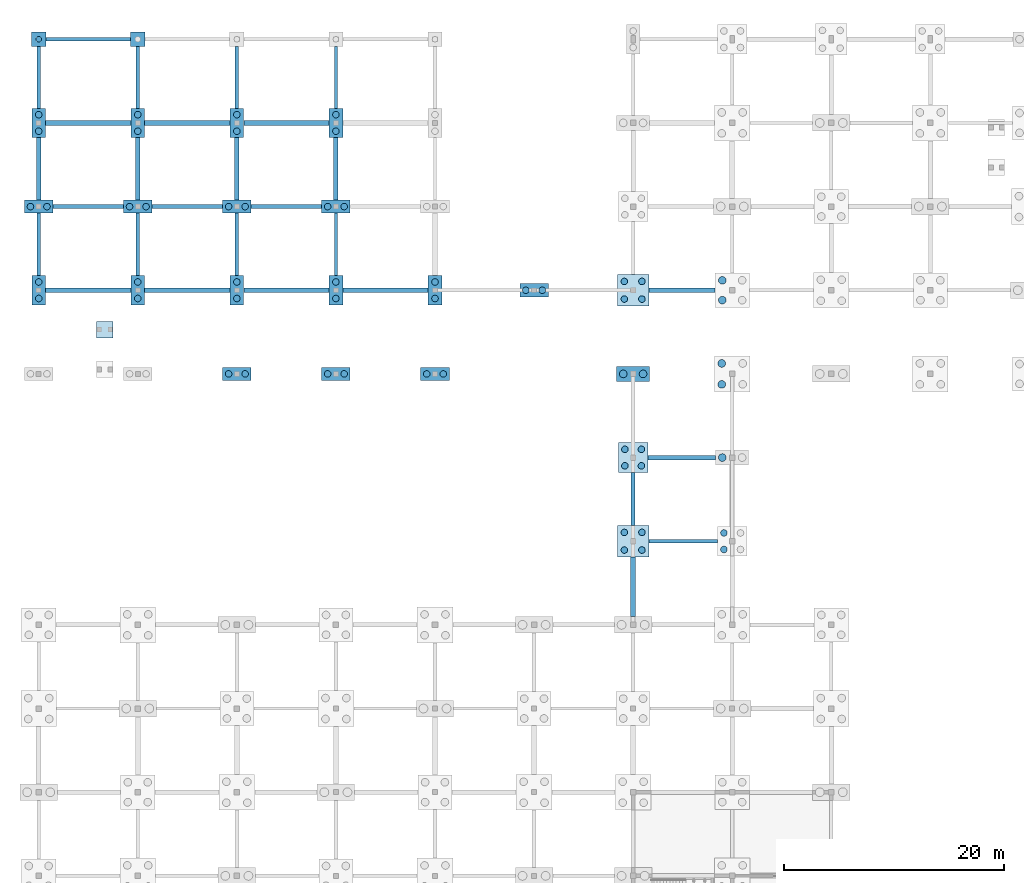
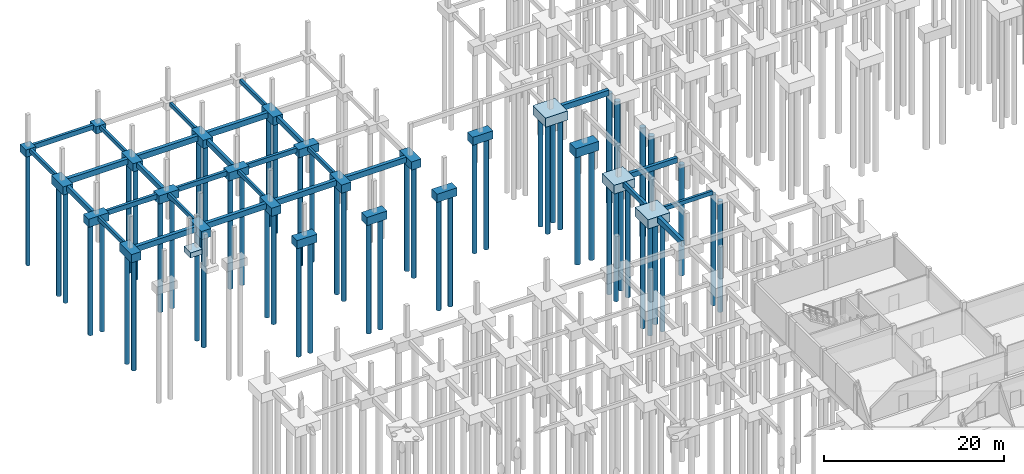
# One storey, part 6 of 28: 56 piles, 52 footings.
"""IFC4 building model written with IfcOpenShell, lengths in metres."""

from ifc_helpers import new_model, si_unit, direction, frame, origin, origin_2d, place, context, subcontext, project, spatial, rectangle, circle, extrude, material, layer, layer_set, material_profile, profile_set, type_object, element, save


model = new_model("IFC4")

# Units and contexts
model_context = context("Model", 3, precision=1e-05, world=origin(), true_north=direction((0.0, 1.0)))
body_context = subcontext(model_context, "Body", "Model", "MODEL_VIEW")
ifc_project = project(units=[si_unit("LENGTHUNIT", "METRE"), si_unit("AREAUNIT", "SQUARE_METRE"), si_unit("VOLUMEUNIT", "CUBIC_METRE"), si_unit("PLANEANGLEUNIT", "RADIAN"), si_unit("MASSUNIT", "GRAM", prefix="KILO")], contexts=[model_context])

# Site, building, storey
site_placement = place(None, origin())
site = spatial("IfcSite", under=ifc_project, at=site_placement, CompositionType="ELEMENT")
building_placement = place(site_placement, origin())
building = spatial("IfcBuilding", under=site, at=building_placement, Name="Caisbarro Railhouse Central Library", CompositionType="ELEMENT")
storey_placement = place(building_placement, frame((0.0, 0.0, -4.320068359375)))
storey = spatial("IfcBuildingStorey", under=building, at=storey_placement, Name="B01", CompositionType="ELEMENT", Elevation=-4.320068359375)

# Footings
ifc_material_1 = material(Name="Concrete C35", Category="concrete")
footing_type_1 = type_object("IfcFootingType", Name="FTG-FB01", PredefinedType="FOOTING_BEAM", material=ifc_material_1)
footing_1_placement = place(storey_placement, frame((4.5, 98.800048828125, -0.64990234375), z_axis=(0.0, 0.0, 1.0), x_axis=(1.0, 0.0, 0.0)))
element("IfcFooting", 1, at=footing_1_placement, inside=storey, type_object=footing_type_1, Name="FB01 ground tie beam 20", PredefinedType="FOOTING_BEAM", context=body_context, shape_type="SweptSolid", body=[
    extrude(rectangle(XDim=6.39599609375, YDim=0.35009765625, at=origin_2d()), origin(), (0.0, 0.0, 1.0), 0.64990234375),
])
footing_2_placement = place(storey_placement, frame((4.5, 114.0, -0.64990234375), z_axis=(0.0, 0.0, 1.0), x_axis=(1.0, 0.0, 0.0)))
element("IfcFooting", 2, at=footing_2_placement, inside=storey, type_object=footing_type_1, Name="FB01 ground tie beam 24", PredefinedType="FOOTING_BEAM", context=body_context, shape_type="SweptSolid", body=[
    extrude(rectangle(XDim=7.696044921875, YDim=0.35009765625, at=origin_2d()), origin(), (0.0, 0.0, 1.0), 0.64990234375),
])
for number, where, z_axis, x_axis, name in (
    (3, (13.5, 98.800048828125, -0.64990234375), (0.0, 0.0, 1.0), (1.0, 0.0, 0.0), "FB01 ground tie beam 44"),
    (4, (22.5, 98.800048828125, -0.64990234375), (0.0, 0.0, 1.0), (1.0, 0.0, 0.0), "FB01 ground tie beam 68"),
):
    element("IfcFooting", number, at=place(storey_placement, frame(where, z_axis=z_axis, x_axis=x_axis)), inside=storey, type_object=footing_type_1, Name=name, PredefinedType="FOOTING_BEAM", context=body_context, shape_type="SweptSolid", body=[
        extrude(rectangle(XDim=6.39599609375, YDim=0.35009765625, at=origin_2d()), origin(), (0.0, 0.0, 1.0), 0.64990234375),
    ])
footing_3_placement = place(storey_placement, frame((54.0, 72.237548828125, -0.64990234375), z_axis=(0.0, 0.0, 1.0), x_axis=(0.0, 1.0, 0.0)))
element("IfcFooting", 5, at=footing_3_placement, inside=storey, type_object=footing_type_1, Name="FB01 ground tie beam 140", PredefinedType="FOOTING_BEAM", context=body_context, shape_type="SweptSolid", body=[
    extrude(rectangle(XDim=4.821044921875, YDim=0.35009765625, at=origin_2d()), origin(), (0.0, 0.0, 1.0), 0.64990234375),
])
footing_type_2 = type_object("IfcFootingType", Name="FTG-FB02", PredefinedType="FOOTING_BEAM", material=ifc_material_1)
for number, where, z_axis, x_axis, name in (
    (6, (0.0, 102.237548828125, -0.69970703125), (0.0, 0.0, 1.0), (0.0, 1.0, 0.0), "FB02 ground tie beam 21"),
    (7, (9.0, 102.237548828125, -0.69970703125), (0.0, 0.0, 1.0), (0.0, 1.0, 0.0), "FB02 ground tie beam 45"),
    (8, (18.0, 102.237548828125, -0.69970703125), (0.0, 0.0, 1.0), (0.0, 1.0, 0.0), "FB02 ground tie beam 69"),
    (9, (27.0, 102.237548828125, -0.69970703125), (0.0, 0.0, 1.0), (0.0, 1.0, 0.0), "FB02 ground tie beam 93"),
):
    element("IfcFooting", number, at=place(storey_placement, frame(where, z_axis=z_axis, x_axis=x_axis)), inside=storey, type_object=footing_type_2, Name=name, PredefinedType="FOOTING_BEAM", context=body_context, shape_type="SweptSolid", body=[
        extrude(rectangle(XDim=5.6708984375, YDim=0.39990234375, at=origin_2d()), origin(), (0.0, 0.0, 1.0), 0.699951171875),
    ])
footing_4_placement = place(storey_placement, frame((58.425048828125, 76.0, -0.69970703125), z_axis=(0.0, 0.0, 1.0), x_axis=(1.0, 0.0, 0.0)))
element("IfcFooting", 10, at=footing_4_placement, inside=storey, type_object=footing_type_2, Name="FB02 ground tie beam 141", PredefinedType="FOOTING_BEAM", context=body_context, shape_type="SweptSolid", body=[
    extrude(rectangle(XDim=6.14599609375, YDim=0.39990234375, at=origin_2d()), origin(), (0.0, 0.0, 1.0), 0.699951171875),
])
footing_type_3 = type_object("IfcFootingType", Name="FTG-FB03", PredefinedType="FOOTING_BEAM", material=ifc_material_1)
for number, where, z_axis, x_axis, name in (
    (11, (4.5, 91.199951171875, -0.75), (0.0, 0.0, 1.0), (1.0, 0.0, 0.0), "FB03 ground tie beam 18"),
    (12, (4.5, 106.39990234375, -0.75), (0.0, 0.0, 1.0), (1.0, 0.0, 0.0), "FB03 ground tie beam 22"),
    (13, (13.5, 91.199951171875, -0.75), (0.0, 0.0, 1.0), (1.0, 0.0, 0.0), "FB03 ground tie beam 42"),
    (14, (13.5, 106.39990234375, -0.75), (0.0, 0.0, 1.0), (1.0, 0.0, 0.0), "FB03 ground tie beam 46"),
    (15, (22.5, 91.199951171875, -0.75), (0.0, 0.0, 1.0), (1.0, 0.0, 0.0), "FB03 ground tie beam 66"),
    (16, (22.5, 106.39990234375, -0.75), (0.0, 0.0, 1.0), (1.0, 0.0, 0.0), "FB03 ground tie beam 70"),
    (17, (31.5, 91.199951171875, -0.75), (0.0, 0.0, 1.0), (1.0, 0.0, 0.0), "FB03 ground tie beam 90"),
):
    element("IfcFooting", number, at=place(storey_placement, frame(where, z_axis=z_axis, x_axis=x_axis)), inside=storey, type_object=footing_type_3, Name=name, PredefinedType="FOOTING_BEAM", context=body_context, shape_type="SweptSolid", body=[
        extrude(rectangle(XDim=7.74609375, YDim=0.449951171875, at=origin_2d()), origin(), (0.0, 0.0, 1.0), 0.75),
    ])
footing_5_placement = place(storey_placement, frame((54.0, 64.262451171875, -0.75), z_axis=(0.0, 0.0, 1.0), x_axis=(0.0, 1.0, 0.0)))
element("IfcFooting", 18, at=footing_5_placement, inside=storey, type_object=footing_type_3, Name="FB03 ground tie beam 138", PredefinedType="FOOTING_BEAM", context=body_context, shape_type="SweptSolid", body=[
    extrude(rectangle(XDim=5.4208984375, YDim=0.449951171875, at=origin_2d()), origin(), (0.0, 0.0, 1.0), 0.75),
])
footing_6_placement = place(storey_placement, frame((58.4375, 91.199951171875, -0.75), z_axis=(0.0, 0.0, 1.0), x_axis=(1.0, 0.0, 0.0)))
element("IfcFooting", 19, at=footing_6_placement, inside=storey, type_object=footing_type_3, Name="FB03 ground tie beam 142", PredefinedType="FOOTING_BEAM", context=body_context, shape_type="SweptSolid", body=[
    extrude(rectangle(XDim=6.02099609375, YDim=0.449951171875, at=origin_2d()), origin(), (0.0, 0.0, 1.0), 0.75),
])
footing_type_4 = type_object("IfcFootingType", Name="FTG-FB04", PredefinedType="FOOTING_BEAM", material=ifc_material_1)
footing_7_placement = place(storey_placement, frame((0.0, 95.362548828125, -0.5498046875), z_axis=(0.0, 0.0, 1.0), x_axis=(0.0, 1.0, 0.0)))
element("IfcFooting", 20, at=footing_7_placement, inside=storey, type_object=footing_type_4, Name="FB04 ground tie beam 19", PredefinedType="FOOTING_BEAM", context=body_context, shape_type="SweptSolid", body=[
    extrude(rectangle(XDim=5.6708984375, YDim=0.300048828125, at=origin_2d()), origin(), (0.0, 0.0, 1.0), 0.550048828125),
])
footing_8_placement = place(storey_placement, frame((0.0, 110.53759765625, -0.5498046875), z_axis=(0.0, 0.0, 1.0), x_axis=(0.0, 1.0, 0.0)))
element("IfcFooting", 21, at=footing_8_placement, inside=storey, type_object=footing_type_4, Name="FB04 ground tie beam 23", PredefinedType="FOOTING_BEAM", context=body_context, shape_type="SweptSolid", body=[
    extrude(rectangle(XDim=5.62109375, YDim=0.300048828125, at=origin_2d()), origin(), (0.0, 0.0, 1.0), 0.550048828125),
])
footing_9_placement = place(storey_placement, frame((9.0, 95.362548828125, -0.5498046875), z_axis=(0.0, 0.0, 1.0), x_axis=(0.0, 1.0, 0.0)))
element("IfcFooting", 22, at=footing_9_placement, inside=storey, type_object=footing_type_4, Name="FB04 ground tie beam 43", PredefinedType="FOOTING_BEAM", context=body_context, shape_type="SweptSolid", body=[
    extrude(rectangle(XDim=5.6708984375, YDim=0.300048828125, at=origin_2d()), origin(), (0.0, 0.0, 1.0), 0.550048828125),
])
footing_10_placement = place(storey_placement, frame((9.0, 110.53759765625, -0.5498046875), z_axis=(0.0, 0.0, 1.0), x_axis=(0.0, 1.0, 0.0)))
element("IfcFooting", 23, at=footing_10_placement, inside=storey, type_object=footing_type_4, Name="FB04 ground tie beam 47", PredefinedType="FOOTING_BEAM", context=body_context, shape_type="SweptSolid", body=[
    extrude(rectangle(XDim=5.62109375, YDim=0.300048828125, at=origin_2d()), origin(), (0.0, 0.0, 1.0), 0.550048828125),
])
footing_11_placement = place(storey_placement, frame((18.0, 95.362548828125, -0.5498046875), z_axis=(0.0, 0.0, 1.0), x_axis=(0.0, 1.0, 0.0)))
element("IfcFooting", 24, at=footing_11_placement, inside=storey, type_object=footing_type_4, Name="FB04 ground tie beam 67", PredefinedType="FOOTING_BEAM", context=body_context, shape_type="SweptSolid", body=[
    extrude(rectangle(XDim=5.6708984375, YDim=0.300048828125, at=origin_2d()), origin(), (0.0, 0.0, 1.0), 0.550048828125),
])
footing_12_placement = place(storey_placement, frame((18.0, 110.53759765625, -0.5498046875), z_axis=(0.0, 0.0, 1.0), x_axis=(0.0, 1.0, 0.0)))
element("IfcFooting", 25, at=footing_12_placement, inside=storey, type_object=footing_type_4, Name="FB04 ground tie beam 71", PredefinedType="FOOTING_BEAM", context=body_context, shape_type="SweptSolid", body=[
    extrude(rectangle(XDim=5.62109375, YDim=0.300048828125, at=origin_2d()), origin(), (0.0, 0.0, 1.0), 0.550048828125),
])
footing_13_placement = place(storey_placement, frame((27.0, 95.362548828125, -0.5498046875), z_axis=(0.0, 0.0, 1.0), x_axis=(0.0, 1.0, 0.0)))
element("IfcFooting", 26, at=footing_13_placement, inside=storey, type_object=footing_type_4, Name="FB04 ground tie beam 91", PredefinedType="FOOTING_BEAM", context=body_context, shape_type="SweptSolid", body=[
    extrude(rectangle(XDim=5.6708984375, YDim=0.300048828125, at=origin_2d()), origin(), (0.0, 0.0, 1.0), 0.550048828125),
])
footing_14_placement = place(storey_placement, frame((27.0, 110.53759765625, -0.5498046875), z_axis=(0.0, 0.0, 1.0), x_axis=(0.0, 1.0, 0.0)))
element("IfcFooting", 27, at=footing_14_placement, inside=storey, type_object=footing_type_4, Name="FB04 ground tie beam 95", PredefinedType="FOOTING_BEAM", context=body_context, shape_type="SweptSolid", body=[
    extrude(rectangle(XDim=5.62109375, YDim=0.300048828125, at=origin_2d()), origin(), (0.0, 0.0, 1.0), 0.550048828125),
])
footing_15_placement = place(storey_placement, frame((58.53759765625, 68.39990234375, -0.5498046875), z_axis=(0.0, 0.0, 1.0), x_axis=(1.0, 0.0, 0.0)))
element("IfcFooting", 28, at=footing_15_placement, inside=storey, type_object=footing_type_4, Name="FB04 ground tie beam 139", PredefinedType="FOOTING_BEAM", context=body_context, shape_type="SweptSolid", body=[
    extrude(rectangle(XDim=6.220947265625, YDim=0.300048828125, at=origin_2d()), origin(), (0.0, 0.0, 1.0), 0.550048828125),
])
ifc_material_2 = material(Name="Concrete C40", Category="concrete")
ifc_layer_1 = layer(ifc_material_2, 1.0, Name="Concrete C40")
ifc_layer_set_1 = layer_set([ifc_layer_1], Name="Concrete C40")
footing_type_5 = type_object("IfcFootingType", Name="FTG-PC01", PredefinedType="PILE_CAP", material=ifc_layer_set_1)
for number, where, z_axis, x_axis, name in (
    (29, (0.0, 114.0, -1.0), (0.0, 0.0, 1.0), (1.0, 0.0, 0.0), "PC01 pile cap (14)"),
    (30, (9.0, 114.0, -1.0), (0.0, 0.0, 1.0), (1.0, 0.0, 0.0), "PC01 pile cap (28)"),
):
    element("IfcFooting", number, at=place(storey_placement, frame(where, z_axis=z_axis, x_axis=x_axis)), inside=storey, type_object=footing_type_5, Name=name, PredefinedType="PILE_CAP", context=body_context, shape_type="SweptSolid", body=[
        extrude(rectangle(XDim=1.300048828125, YDim=1.300048828125, at=origin_2d()), origin(), (0.0, 0.0, 1.0), 1.0),
    ])
ifc_layer_2 = layer(ifc_material_2, 1.10009765625, Name="Concrete C40")
ifc_layer_set_2 = layer_set([ifc_layer_2], Name="Concrete C40")
footing_type_6 = type_object("IfcFootingType", Name="FTG-PC02", PredefinedType="PILE_CAP", material=ifc_layer_set_2)
for number, where, z_axis, x_axis, name in (
    (31, (0.0, 98.800048828125, -1.10009765625), (0.0, 0.0, 1.0), (1.0, 0.0, 0.0), "PC02 pile cap (12)"),
    (32, (9.0, 98.800048828125, -1.10009765625), (0.0, 0.0, 1.0), (1.0, 0.0, 0.0), "PC02 pile cap (26)"),
    (33, (18.0, 83.60009765625, -1.10009765625), (0.0, 0.0, 1.0), (1.0, 0.0, 0.0), "PC02 pile cap (38)"),
    (34, (18.0, 98.800048828125, -1.10009765625), (0.0, 0.0, 1.0), (1.0, 0.0, 0.0), "PC02 pile cap (40)"),
    (35, (27.0, 83.60009765625, -1.10009765625), (0.0, 0.0, 1.0), (1.0, 0.0, 0.0), "PC02 pile cap (52)"),
    (36, (27.0, 98.800048828125, -1.10009765625), (0.0, 0.0, 1.0), (1.0, 0.0, 0.0), "PC02 pile cap (54)"),
    (37, (36.0, 83.60009765625, -1.10009765625), (0.0, 0.0, 1.0), (1.0, 0.0, 0.0), "PC02 pile cap (66)"),
    (38, (45.0, 91.199951171875, -1.10009765625), (0.0, 0.0, 1.0), (1.0, 0.0, 0.0), "PC02 link pile cap 1"),
):
    element("IfcFooting", number, at=place(storey_placement, frame(where, z_axis=z_axis, x_axis=x_axis)), inside=storey, type_object=footing_type_6, Name=name, PredefinedType="PILE_CAP", context=body_context, shape_type="SweptSolid", body=[
        extrude(rectangle(XDim=2.60009765625, YDim=1.199951171875, at=origin_2d()), origin(), (0.0, 0.0, 1.0), 1.10009765625),
    ])
ifc_layer_3 = layer(ifc_material_2, 1.1201171875, Name="Concrete C40")
ifc_layer_set_3 = layer_set([ifc_layer_3], Name="Concrete C40")
footing_type_7 = type_object("IfcFootingType", Name="FTG-PC03", PredefinedType="PILE_CAP", material=ifc_layer_set_3)
for number, where, z_axis, x_axis, name in (
    (39, (0.0, 91.199951171875, -1.119873046875), (0.0, 0.0, 1.0), (1.0, 0.0, 0.0), "PC03 pile cap (11)"),
    (40, (0.0, 106.39990234375, -1.119873046875), (0.0, 0.0, 1.0), (1.0, 0.0, 0.0), "PC03 pile cap (13)"),
    (41, (9.0, 91.199951171875, -1.119873046875), (0.0, 0.0, 1.0), (1.0, 0.0, 0.0), "PC03 pile cap (25)"),
    (42, (9.0, 106.39990234375, -1.119873046875), (0.0, 0.0, 1.0), (1.0, 0.0, 0.0), "PC03 pile cap (27)"),
    (43, (18.0, 91.199951171875, -1.119873046875), (0.0, 0.0, 1.0), (1.0, 0.0, 0.0), "PC03 pile cap (39)"),
    (44, (18.0, 106.39990234375, -1.119873046875), (0.0, 0.0, 1.0), (1.0, 0.0, 0.0), "PC03 pile cap (41)"),
    (45, (27.0, 91.199951171875, -1.119873046875), (0.0, 0.0, 1.0), (1.0, 0.0, 0.0), "PC03 pile cap (53)"),
    (46, (27.0, 106.39990234375, -1.119873046875), (0.0, 0.0, 1.0), (1.0, 0.0, 0.0), "PC03 pile cap (55)"),
    (47, (36.0, 91.199951171875, -1.119873046875), (0.0, 0.0, 1.0), (1.0, 0.0, 0.0), "PC03 pile cap (67)"),
):
    element("IfcFooting", number, at=place(storey_placement, frame(where, z_axis=z_axis, x_axis=x_axis)), inside=storey, type_object=footing_type_7, Name=name, PredefinedType="PILE_CAP", context=body_context, shape_type="SweptSolid", body=[
        extrude(rectangle(XDim=1.25, YDim=2.64990234375, at=origin_2d()), origin(), (0.0, 0.0, 1.0), 1.1201171875),
    ])
ifc_layer_4 = layer(ifc_material_2, 1.199951171875, Name="Concrete C40")
ifc_layer_set_4 = layer_set([ifc_layer_4], Name="Concrete C40")
footing_type_8 = type_object("IfcFootingType", Name="FTG-PC04", PredefinedType="PILE_CAP", material=ifc_layer_set_4)
footing_16_placement = place(storey_placement, frame((54.0, 76.0, -1.19970703125), z_axis=(0.0, 0.0, 1.0), x_axis=(1.0, 0.0, 0.0)))
element("IfcFooting", 48, at=footing_16_placement, inside=storey, type_object=footing_type_8, Name="PC04 pile cap (90)", PredefinedType="PILE_CAP", context=body_context, shape_type="SweptSolid", body=[
    extrude(rectangle(XDim=2.699951171875, YDim=2.699951171875, at=origin_2d()), origin(), (0.0, 0.0, 1.0), 1.199951171875),
])
ifc_layer_5 = layer(ifc_material_2, 1.219970703125, Name="Concrete C40")
ifc_layer_set_5 = layer_set([ifc_layer_5], Name="Concrete C40")
footing_type_9 = type_object("IfcFootingType", Name="FTG-PC05", PredefinedType="PILE_CAP", material=ifc_layer_set_5)
footing_17_placement = place(storey_placement, frame((54.0, 83.60009765625, -1.2197265625), z_axis=(0.0, 0.0, 1.0), x_axis=(1.0, 0.0, 0.0)))
element("IfcFooting", 49, at=footing_17_placement, inside=storey, type_object=footing_type_9, Name="PC05 pile cap (91)", PredefinedType="PILE_CAP", context=body_context, shape_type="SweptSolid", body=[
    extrude(rectangle(XDim=3.0, YDim=1.35009765625, at=origin_2d()), origin(), (0.0, 0.0, 1.0), 1.219970703125),
])
ifc_layer_6 = layer(ifc_material_2, 1.25, Name="Concrete C40")
ifc_layer_set_6 = layer_set([ifc_layer_6], Name="Concrete C40")
footing_type_10 = type_object("IfcFootingType", Name="FTG-PC13", PredefinedType="PILE_CAP", material=ifc_layer_set_6)
for number, where, z_axis, x_axis, name in (
    (50, (54.0, 68.39990234375, -1.25), (0.0, 0.0, 1.0), (1.0, 0.0, 0.0), "PC13 pile cap (89)"),
    (51, (54.0, 91.199951171875, -1.25), (0.0, 0.0, 1.0), (1.0, 0.0, 0.0), "PC13 pile cap (92)"),
):
    element("IfcFooting", number, at=place(storey_placement, frame(where, z_axis=z_axis, x_axis=x_axis)), inside=storey, type_object=footing_type_10, Name=name, PredefinedType="PILE_CAP", context=body_context, shape_type="SweptSolid", body=[
        extrude(rectangle(XDim=2.85009765625, YDim=2.85009765625, at=origin_2d()), origin(), (0.0, 0.0, 1.0), 1.25),
    ])
ifc_layer_7 = layer(ifc_material_2, 0.699951171875, Name="Concrete C40")
ifc_layer_set_7 = layer_set([ifc_layer_7], Name="Concrete C40")
footing_type_11 = type_object("IfcFootingType", Name="FTG-PF01", PredefinedType="PAD_FOOTING", material=ifc_layer_set_7)
footing_18_placement = place(storey_placement, frame((6.0, 87.6298828125, -0.69970703125), z_axis=(0.0, 0.0, 1.0), x_axis=(1.0, 0.0, 0.0)))
element("IfcFooting", 52, at=footing_18_placement, inside=storey, type_object=footing_type_11, Name="PF01 Stair Support Pad Footing K8 N", PredefinedType="PAD_FOOTING", context=body_context, shape_type="SweptSolid", body=[
    extrude(rectangle(XDim=1.5, YDim=1.5, at=origin_2d()), origin(), (0.0, 0.0, 1.0), 0.699951171875),
])

# Piles
ifc_material_profile_1 = material_profile(ifc_material_1, circle(Radius=0.25, at=origin_2d()), Name="PILE-CFA-500")
ifc_profile_set_1 = profile_set([ifc_material_profile_1], Name="Concrete C35")
pile_type_1 = type_object("IfcPileType", Name="PILE-CFA500", PredefinedType="BORED", material=ifc_profile_set_1)
pile_placement = place(storey_placement, frame((0.0, 114.0, -0.89990234375), z_axis=(0.0, 0.0, -1.0), x_axis=(1.0, 0.0, 0.0)))
element("IfcPile", 53, at=pile_placement, inside=storey, type_object=pile_type_1, Name="PL50 CFA bored pile 14.1", PredefinedType="BORED", context=body_context, shape_type="SweptSolid", body=[
    extrude(circle(Radius=0.25, at=origin_2d()), origin(), (0.0, 0.0, 1.0), 15.280029296875),
])
ifc_material_profile_2 = material_profile(ifc_material_1, circle(Radius=0.300048828125, at=origin_2d()), Name="PILE-CFA-600")
ifc_profile_set_2 = profile_set([ifc_material_profile_2], Name="Concrete C35")
pile_type_2 = type_object("IfcPileType", Name="PILE-CFA600", PredefinedType="BORED", material=ifc_profile_set_2)
for number, where, z_axis, x_axis, name in (
    (54, (0.0, 90.449951171875, -1.02001953125), (0.0, 0.0, -1.0), (1.0, 0.0, 0.0), "PL60 CFA bored pile 11.1"),
    (55, (0.0, 91.949951171875, -1.02001953125), (0.0, 0.0, -1.0), (1.0, 0.0, 0.0), "PL60 CFA bored pile 11.2"),
):
    element("IfcPile", number, at=place(storey_placement, frame(where, z_axis=z_axis, x_axis=x_axis)), inside=storey, type_object=pile_type_2, Name=name, PredefinedType="BORED", context=body_context, shape_type="SweptSolid", body=[
        extrude(circle(Radius=0.300048828125, at=origin_2d()), origin(), (0.0, 0.0, 1.0), 15.159912109375),
    ])
for number, where, z_axis, x_axis, name in (
    (56, (-0.75, 98.800048828125, -1.0), (0.0, 0.0, -1.0), (1.0, 0.0, 0.0), "PL60 CFA bored pile 12.1"),
    (57, (0.75, 98.800048828125, -1.0), (0.0, 0.0, -1.0), (1.0, 0.0, 0.0), "PL60 CFA bored pile 12.2"),
):
    element("IfcPile", number, at=place(storey_placement, frame(where, z_axis=z_axis, x_axis=x_axis)), inside=storey, type_object=pile_type_2, Name=name, PredefinedType="BORED", context=body_context, shape_type="SweptSolid", body=[
        extrude(circle(Radius=0.300048828125, at=origin_2d()), origin(), (0.0, 0.0, 1.0), 15.179931640625),
    ])
for number, where, z_axis, x_axis, name in (
    (58, (0.0, 105.64990234375, -1.02001953125), (0.0, 0.0, -1.0), (1.0, 0.0, 0.0), "PL60 CFA bored pile 13.1"),
    (59, (0.0, 107.14990234375, -1.02001953125), (0.0, 0.0, -1.0), (1.0, 0.0, 0.0), "PL60 CFA bored pile 13.2"),
    (60, (9.0, 90.449951171875, -1.02001953125), (0.0, 0.0, -1.0), (1.0, 0.0, 0.0), "PL60 CFA bored pile 25.1"),
    (61, (9.0, 91.949951171875, -1.02001953125), (0.0, 0.0, -1.0), (1.0, 0.0, 0.0), "PL60 CFA bored pile 25.2"),
):
    element("IfcPile", number, at=place(storey_placement, frame(where, z_axis=z_axis, x_axis=x_axis)), inside=storey, type_object=pile_type_2, Name=name, PredefinedType="BORED", context=body_context, shape_type="SweptSolid", body=[
        extrude(circle(Radius=0.300048828125, at=origin_2d()), origin(), (0.0, 0.0, 1.0), 15.159912109375),
    ])
for number, where, z_axis, x_axis, name in (
    (62, (8.25, 98.800048828125, -1.0), (0.0, 0.0, -1.0), (1.0, 0.0, 0.0), "PL60 CFA bored pile 26.1"),
    (63, (9.75, 98.800048828125, -1.0), (0.0, 0.0, -1.0), (1.0, 0.0, 0.0), "PL60 CFA bored pile 26.2"),
):
    element("IfcPile", number, at=place(storey_placement, frame(where, z_axis=z_axis, x_axis=x_axis)), inside=storey, type_object=pile_type_2, Name=name, PredefinedType="BORED", context=body_context, shape_type="SweptSolid", body=[
        extrude(circle(Radius=0.300048828125, at=origin_2d()), origin(), (0.0, 0.0, 1.0), 15.179931640625),
    ])
for number, where, z_axis, x_axis, name in (
    (64, (9.0, 105.64990234375, -1.02001953125), (0.0, 0.0, -1.0), (1.0, 0.0, 0.0), "PL60 CFA bored pile 27.1"),
    (65, (9.0, 107.14990234375, -1.02001953125), (0.0, 0.0, -1.0), (1.0, 0.0, 0.0), "PL60 CFA bored pile 27.2"),
):
    element("IfcPile", number, at=place(storey_placement, frame(where, z_axis=z_axis, x_axis=x_axis)), inside=storey, type_object=pile_type_2, Name=name, PredefinedType="BORED", context=body_context, shape_type="SweptSolid", body=[
        extrude(circle(Radius=0.300048828125, at=origin_2d()), origin(), (0.0, 0.0, 1.0), 15.159912109375),
    ])
for number, where, z_axis, x_axis, name in (
    (66, (17.25, 83.60009765625, -1.0), (0.0, 0.0, -1.0), (1.0, 0.0, 0.0), "PL60 CFA bored pile 38.1"),
    (67, (18.75, 83.60009765625, -1.0), (0.0, 0.0, -1.0), (1.0, 0.0, 0.0), "PL60 CFA bored pile 38.2"),
):
    element("IfcPile", number, at=place(storey_placement, frame(where, z_axis=z_axis, x_axis=x_axis)), inside=storey, type_object=pile_type_2, Name=name, PredefinedType="BORED", context=body_context, shape_type="SweptSolid", body=[
        extrude(circle(Radius=0.300048828125, at=origin_2d()), origin(), (0.0, 0.0, 1.0), 15.179931640625),
    ])
for number, where, z_axis, x_axis, name in (
    (68, (18.0, 90.449951171875, -1.02001953125), (0.0, 0.0, -1.0), (1.0, 0.0, 0.0), "PL60 CFA bored pile 39.1"),
    (69, (18.0, 91.949951171875, -1.02001953125), (0.0, 0.0, -1.0), (1.0, 0.0, 0.0), "PL60 CFA bored pile 39.2"),
):
    element("IfcPile", number, at=place(storey_placement, frame(where, z_axis=z_axis, x_axis=x_axis)), inside=storey, type_object=pile_type_2, Name=name, PredefinedType="BORED", context=body_context, shape_type="SweptSolid", body=[
        extrude(circle(Radius=0.300048828125, at=origin_2d()), origin(), (0.0, 0.0, 1.0), 15.159912109375),
    ])
for number, where, z_axis, x_axis, name in (
    (70, (17.25, 98.800048828125, -1.0), (0.0, 0.0, -1.0), (1.0, 0.0, 0.0), "PL60 CFA bored pile 40.1"),
    (71, (18.75, 98.800048828125, -1.0), (0.0, 0.0, -1.0), (1.0, 0.0, 0.0), "PL60 CFA bored pile 40.2"),
):
    element("IfcPile", number, at=place(storey_placement, frame(where, z_axis=z_axis, x_axis=x_axis)), inside=storey, type_object=pile_type_2, Name=name, PredefinedType="BORED", context=body_context, shape_type="SweptSolid", body=[
        extrude(circle(Radius=0.300048828125, at=origin_2d()), origin(), (0.0, 0.0, 1.0), 15.179931640625),
    ])
for number, where, z_axis, x_axis, name in (
    (72, (18.0, 105.64990234375, -1.02001953125), (0.0, 0.0, -1.0), (1.0, 0.0, 0.0), "PL60 CFA bored pile 41.1"),
    (73, (18.0, 107.14990234375, -1.02001953125), (0.0, 0.0, -1.0), (1.0, 0.0, 0.0), "PL60 CFA bored pile 41.2"),
):
    element("IfcPile", number, at=place(storey_placement, frame(where, z_axis=z_axis, x_axis=x_axis)), inside=storey, type_object=pile_type_2, Name=name, PredefinedType="BORED", context=body_context, shape_type="SweptSolid", body=[
        extrude(circle(Radius=0.300048828125, at=origin_2d()), origin(), (0.0, 0.0, 1.0), 15.159912109375),
    ])
for number, where, z_axis, x_axis, name in (
    (74, (26.25, 83.60009765625, -1.0), (0.0, 0.0, -1.0), (1.0, 0.0, 0.0), "PL60 CFA bored pile 52.1"),
    (75, (27.75, 83.60009765625, -1.0), (0.0, 0.0, -1.0), (1.0, 0.0, 0.0), "PL60 CFA bored pile 52.2"),
):
    element("IfcPile", number, at=place(storey_placement, frame(where, z_axis=z_axis, x_axis=x_axis)), inside=storey, type_object=pile_type_2, Name=name, PredefinedType="BORED", context=body_context, shape_type="SweptSolid", body=[
        extrude(circle(Radius=0.300048828125, at=origin_2d()), origin(), (0.0, 0.0, 1.0), 15.179931640625),
    ])
for number, where, z_axis, x_axis, name in (
    (76, (27.0, 90.449951171875, -1.02001953125), (0.0, 0.0, -1.0), (1.0, 0.0, 0.0), "PL60 CFA bored pile 53.1"),
    (77, (27.0, 91.949951171875, -1.02001953125), (0.0, 0.0, -1.0), (1.0, 0.0, 0.0), "PL60 CFA bored pile 53.2"),
):
    element("IfcPile", number, at=place(storey_placement, frame(where, z_axis=z_axis, x_axis=x_axis)), inside=storey, type_object=pile_type_2, Name=name, PredefinedType="BORED", context=body_context, shape_type="SweptSolid", body=[
        extrude(circle(Radius=0.300048828125, at=origin_2d()), origin(), (0.0, 0.0, 1.0), 15.159912109375),
    ])
for number, where, z_axis, x_axis, name in (
    (78, (26.25, 98.800048828125, -1.0), (0.0, 0.0, -1.0), (1.0, 0.0, 0.0), "PL60 CFA bored pile 54.1"),
    (79, (27.75, 98.800048828125, -1.0), (0.0, 0.0, -1.0), (1.0, 0.0, 0.0), "PL60 CFA bored pile 54.2"),
):
    element("IfcPile", number, at=place(storey_placement, frame(where, z_axis=z_axis, x_axis=x_axis)), inside=storey, type_object=pile_type_2, Name=name, PredefinedType="BORED", context=body_context, shape_type="SweptSolid", body=[
        extrude(circle(Radius=0.300048828125, at=origin_2d()), origin(), (0.0, 0.0, 1.0), 15.179931640625),
    ])
for number, where, z_axis, x_axis, name in (
    (80, (27.0, 105.64990234375, -1.02001953125), (0.0, 0.0, -1.0), (1.0, 0.0, 0.0), "PL60 CFA bored pile 55.1"),
    (81, (27.0, 107.14990234375, -1.02001953125), (0.0, 0.0, -1.0), (1.0, 0.0, 0.0), "PL60 CFA bored pile 55.2"),
):
    element("IfcPile", number, at=place(storey_placement, frame(where, z_axis=z_axis, x_axis=x_axis)), inside=storey, type_object=pile_type_2, Name=name, PredefinedType="BORED", context=body_context, shape_type="SweptSolid", body=[
        extrude(circle(Radius=0.300048828125, at=origin_2d()), origin(), (0.0, 0.0, 1.0), 15.159912109375),
    ])
for number, where, z_axis, x_axis, name in (
    (82, (35.25, 83.60009765625, -1.0), (0.0, 0.0, -1.0), (1.0, 0.0, 0.0), "PL60 CFA bored pile 66.1"),
    (83, (36.75, 83.60009765625, -1.0), (0.0, 0.0, -1.0), (1.0, 0.0, 0.0), "PL60 CFA bored pile 66.2"),
):
    element("IfcPile", number, at=place(storey_placement, frame(where, z_axis=z_axis, x_axis=x_axis)), inside=storey, type_object=pile_type_2, Name=name, PredefinedType="BORED", context=body_context, shape_type="SweptSolid", body=[
        extrude(circle(Radius=0.300048828125, at=origin_2d()), origin(), (0.0, 0.0, 1.0), 15.179931640625),
    ])
for number, where, z_axis, x_axis, name in (
    (84, (36.0, 90.449951171875, -1.02001953125), (0.0, 0.0, -1.0), (1.0, 0.0, 0.0), "PL60 CFA bored pile 67.1"),
    (85, (36.0, 91.949951171875, -1.02001953125), (0.0, 0.0, -1.0), (1.0, 0.0, 0.0), "PL60 CFA bored pile 67.2"),
):
    element("IfcPile", number, at=place(storey_placement, frame(where, z_axis=z_axis, x_axis=x_axis)), inside=storey, type_object=pile_type_2, Name=name, PredefinedType="BORED", context=body_context, shape_type="SweptSolid", body=[
        extrude(circle(Radius=0.300048828125, at=origin_2d()), origin(), (0.0, 0.0, 1.0), 15.159912109375),
    ])
for number, where, z_axis, x_axis, name in (
    (86, (53.199951171875, 67.60009765625, -1.14990234375), (0.0, 0.0, -1.0), (1.0, 0.0, 0.0), "PL60 CFA bored pile 89.1"),
    (87, (54.800048828125, 67.60009765625, -1.14990234375), (0.0, 0.0, -1.0), (1.0, 0.0, 0.0), "PL60 CFA bored pile 89.2"),
    (88, (53.199951171875, 69.199951171875, -1.14990234375), (0.0, 0.0, -1.0), (1.0, 0.0, 0.0), "PL60 CFA bored pile 89.3"),
    (89, (54.800048828125, 69.199951171875, -1.14990234375), (0.0, 0.0, -1.0), (1.0, 0.0, 0.0), "PL60 CFA bored pile 89.4"),
):
    element("IfcPile", number, at=place(storey_placement, frame(where, z_axis=z_axis, x_axis=x_axis)), inside=storey, type_object=pile_type_2, Name=name, PredefinedType="BORED", context=body_context, shape_type="SweptSolid", body=[
        extrude(circle(Radius=0.300048828125, at=origin_2d()), origin(), (0.0, 0.0, 1.0), 15.030029296875),
    ])
for number, where, z_axis, x_axis, name in (
    (90, (53.25, 75.25, -1.099853515625), (0.0, 0.0, -1.0), (1.0, 0.0, 0.0), "PL60 CFA bored pile 90.1"),
    (91, (54.75, 75.25, -1.099853515625), (0.0, 0.0, -1.0), (1.0, 0.0, 0.0), "PL60 CFA bored pile 90.2"),
    (92, (53.25, 76.75, -1.099853515625), (0.0, 0.0, -1.0), (1.0, 0.0, 0.0), "PL60 CFA bored pile 90.3"),
    (93, (54.75, 76.75, -1.099853515625), (0.0, 0.0, -1.0), (1.0, 0.0, 0.0), "PL60 CFA bored pile 90.4"),
):
    element("IfcPile", number, at=place(storey_placement, frame(where, z_axis=z_axis, x_axis=x_axis)), inside=storey, type_object=pile_type_2, Name=name, PredefinedType="BORED", context=body_context, shape_type="SweptSolid", body=[
        extrude(circle(Radius=0.300048828125, at=origin_2d()), origin(), (0.0, 0.0, 1.0), 15.080078125),
    ])
for number, where, z_axis, x_axis, name in (
    (94, (53.199951171875, 90.39990234375, -1.14990234375), (0.0, 0.0, -1.0), (1.0, 0.0, 0.0), "PL60 CFA bored pile 92.1"),
    (95, (54.800048828125, 90.39990234375, -1.14990234375), (0.0, 0.0, -1.0), (1.0, 0.0, 0.0), "PL60 CFA bored pile 92.2"),
    (96, (53.199951171875, 92.0, -1.14990234375), (0.0, 0.0, -1.0), (1.0, 0.0, 0.0), "PL60 CFA bored pile 92.3"),
    (97, (54.800048828125, 92.0, -1.14990234375), (0.0, 0.0, -1.0), (1.0, 0.0, 0.0), "PL60 CFA bored pile 92.4"),
):
    element("IfcPile", number, at=place(storey_placement, frame(where, z_axis=z_axis, x_axis=x_axis)), inside=storey, type_object=pile_type_2, Name=name, PredefinedType="BORED", context=body_context, shape_type="SweptSolid", body=[
        extrude(circle(Radius=0.300048828125, at=origin_2d()), origin(), (0.0, 0.0, 1.0), 15.030029296875),
    ])
for number, where, z_axis, x_axis, name in (
    (98, (62.25, 67.64990234375, -1.099853515625), (0.0, 0.0, -1.0), (1.0, 0.0, 0.0), "PL60 CFA bored pile 105.1"),
    (99, (62.25, 69.14990234375, -1.099853515625), (0.0, 0.0, -1.0), (1.0, 0.0, 0.0), "PL60 CFA bored pile 105.3"),
):
    element("IfcPile", number, at=place(storey_placement, frame(where, z_axis=z_axis, x_axis=x_axis)), inside=storey, type_object=pile_type_2, Name=name, PredefinedType="BORED", context=body_context, shape_type="SweptSolid", body=[
        extrude(circle(Radius=0.300048828125, at=origin_2d()), origin(), (0.0, 0.0, 1.0), 15.080078125),
    ])
for number, where, z_axis, x_axis, name in (
    (100, (44.25, 91.199951171875, -1.0), (0.0, 0.0, -1.0), (1.0, 0.0, 0.0), "PL60 CFA link pile 1.1"),
    (101, (45.75, 91.199951171875, -1.0), (0.0, 0.0, -1.0), (1.0, 0.0, 0.0), "PL60 CFA link pile 1.2"),
):
    element("IfcPile", number, at=place(storey_placement, frame(where, z_axis=z_axis, x_axis=x_axis)), inside=storey, type_object=pile_type_2, Name=name, PredefinedType="BORED", context=body_context, shape_type="SweptSolid", body=[
        extrude(circle(Radius=0.300048828125, at=origin_2d()), origin(), (0.0, 0.0, 1.0), 15.179931640625),
    ])
ifc_material_profile_3 = material_profile(ifc_material_1, circle(Radius=0.35009765625, at=origin_2d()), Name="PILE-CFA-700")
ifc_profile_set_3 = profile_set([ifc_material_profile_3], Name="Concrete C35")
pile_type_3 = type_object("IfcPileType", Name="PILE-CFA700", PredefinedType="BORED", material=ifc_profile_set_3)
for number, where, z_axis, x_axis, name in (
    (102, (53.10009765625, 83.60009765625, -1.119873046875), (0.0, 0.0, -1.0), (1.0, 0.0, 0.0), "PL70 CFA bored pile 91.1"),
    (103, (54.89990234375, 83.60009765625, -1.119873046875), (0.0, 0.0, -1.0), (1.0, 0.0, 0.0), "PL70 CFA bored pile 91.2"),
    (104, (62.10009765625, 76.0, -1.119873046875), (0.0, 0.0, -1.0), (1.0, 0.0, 0.0), "PL70 CFA bored pile 106.1"),
):
    element("IfcPile", number, at=place(storey_placement, frame(where, z_axis=z_axis, x_axis=x_axis)), inside=storey, type_object=pile_type_3, Name=name, PredefinedType="BORED", context=body_context, shape_type="SweptSolid", body=[
        extrude(circle(Radius=0.35009765625, at=origin_2d()), origin(), (0.0, 0.0, 1.0), 15.06005859375),
    ])
for number, where, z_axis, x_axis, name in (
    (105, (62.050048828125, 82.64990234375, -1.239990234375), (0.0, 0.0, -1.0), (1.0, 0.0, 0.0), "PL70 CFA bored pile 107.1"),
    (106, (62.050048828125, 84.550048828125, -1.239990234375), (0.0, 0.0, -1.0), (1.0, 0.0, 0.0), "PL70 CFA bored pile 107.3"),
):
    element("IfcPile", number, at=place(storey_placement, frame(where, z_axis=z_axis, x_axis=x_axis)), inside=storey, type_object=pile_type_3, Name=name, PredefinedType="BORED", context=body_context, shape_type="SweptSolid", body=[
        extrude(circle(Radius=0.35009765625, at=origin_2d()), origin(), (0.0, 0.0, 1.0), 14.93994140625),
    ])
for number, where, z_axis, x_axis, name in (
    (107, (62.10009765625, 90.300048828125, -1.199951171875), (0.0, 0.0, -1.0), (1.0, 0.0, 0.0), "PL70 CFA bored pile 108.1"),
    (108, (62.10009765625, 92.10009765625, -1.199951171875), (0.0, 0.0, -1.0), (1.0, 0.0, 0.0), "PL70 CFA bored pile 108.3"),
):
    element("IfcPile", number, at=place(storey_placement, frame(where, z_axis=z_axis, x_axis=x_axis)), inside=storey, type_object=pile_type_3, Name=name, PredefinedType="BORED", context=body_context, shape_type="SweptSolid", body=[
        extrude(circle(Radius=0.35009765625, at=origin_2d()), origin(), (0.0, 0.0, 1.0), 14.97998046875),
    ])

save(model, "model.ifc")
